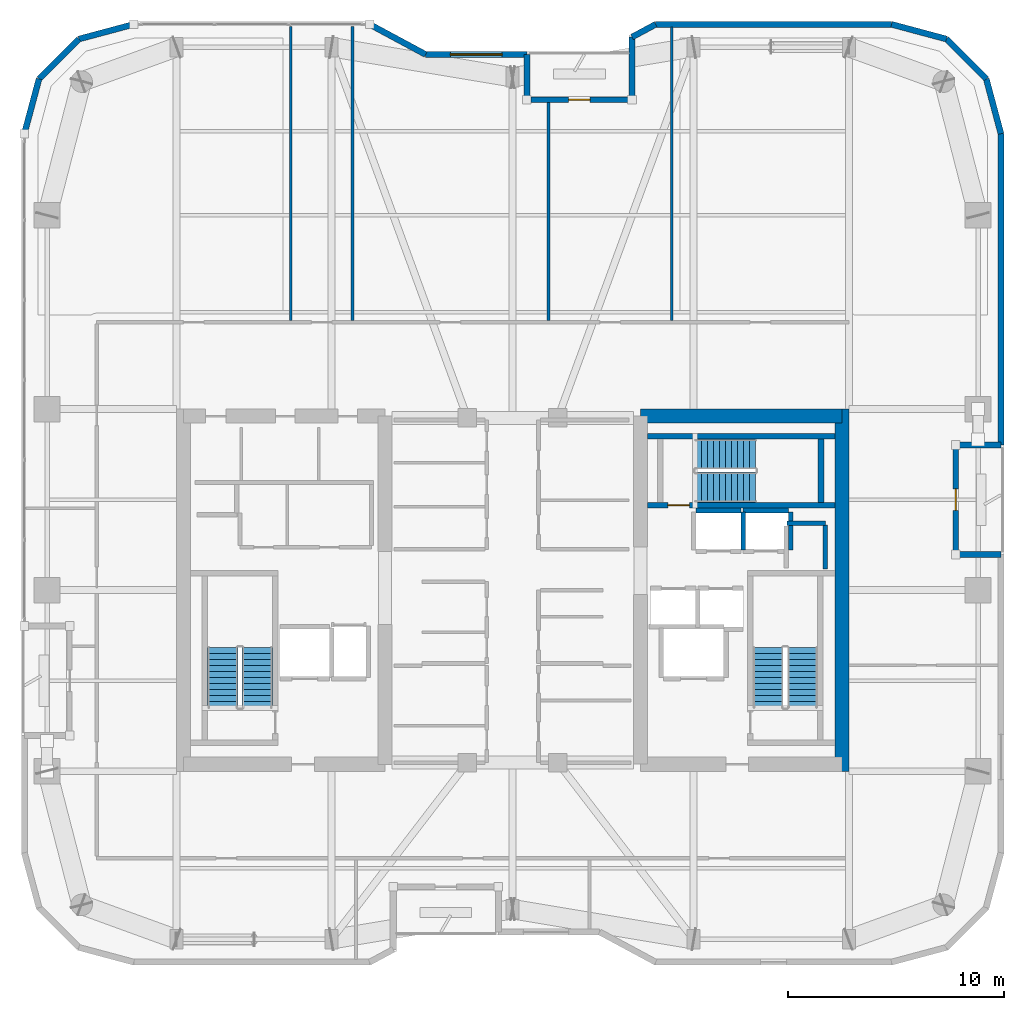
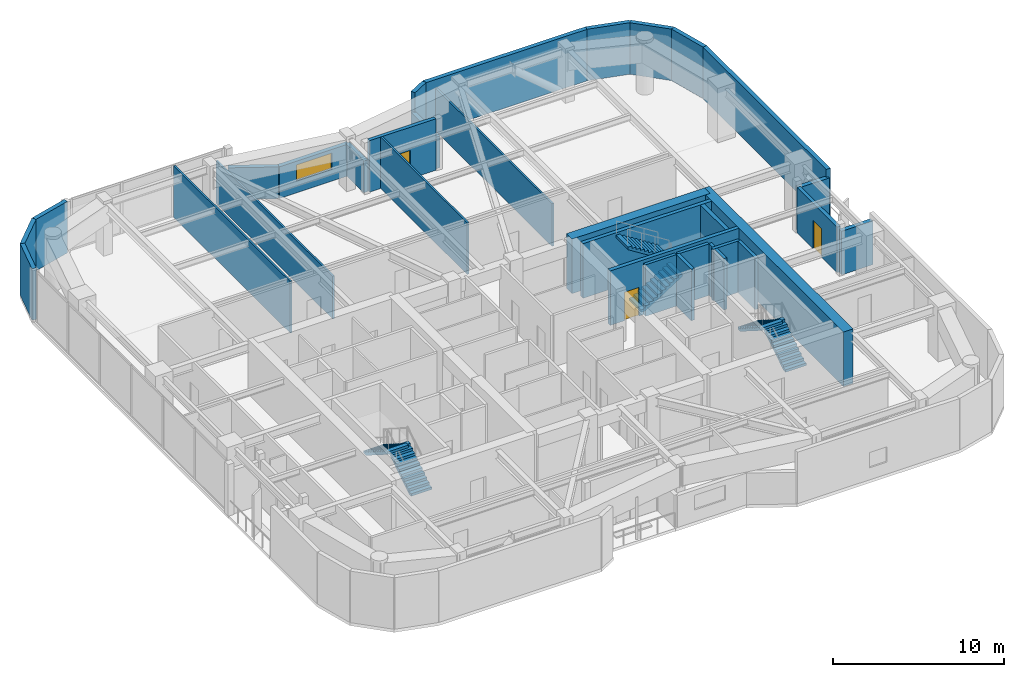
# One storey, part 18 of 21: 32 walls, 6 stair flights, 3 doors, 1 window, 4 openings, 3 elements without a shape of their own.
"""IFC4 building model written with IfcOpenShell, lengths in metres."""

from ifc_helpers import new_model, si_unit, direction, frame, frame_2d, origin, place, context, subcontext, project, spatial, polyline, rectangle, outline, extrude, material, layer, layer_set, type_object, element, fill, aggregate, save


model = new_model("IFC4")

# Units and contexts
model_context = context("Model", 3, precision=1e-05, world=origin(), true_north=direction((0.0, 1.0)))
body_context = subcontext(model_context, "Body", "Model", "MODEL_VIEW")
ifc_project = project(units=[si_unit("LENGTHUNIT", "METRE"), si_unit("AREAUNIT", "SQUARE_METRE"), si_unit("VOLUMEUNIT", "CUBIC_METRE"), si_unit("PLANEANGLEUNIT", "RADIAN"), si_unit("MASSUNIT", "GRAM", prefix="KILO")], contexts=[model_context])

# Site, building, storey
site_placement = place(None, origin())
site = spatial("IfcSite", under=ifc_project, at=site_placement, CompositionType="ELEMENT")
building_placement = place(site_placement, origin())
building = spatial("IfcBuilding", under=site, at=building_placement, Name="Kiyonajd Concourse Tower", CompositionType="ELEMENT")
storey_placement = place(building_placement, frame((0.0, 0.0, 227.10009765625)))
storey = spatial("IfcBuildingStorey", under=building, at=storey_placement, Name="L57", CompositionType="ELEMENT", Elevation=227.10009765625)

# Walls
ifc_material_1 = material(Name="Concrete C60/75", Category="concrete")
ifc_layer_1 = layer(ifc_material_1, 0.64990234375)
ifc_layer_set_1 = layer_set([ifc_layer_1], Name="Concrete C60/75")
wall_type_1 = type_object("IfcWallType", Name="WL-CORE-650", PredefinedType="SHEAR", material=ifc_layer_set_1)
wall_1_placement = place(storey_placement, frame((63.27490234375, 27.60009765625, 0.0), z_axis=(0.0, 0.0, 1.0), x_axis=(0.0, 1.0, 0.0)))
element("IfcWall", 1, at=wall_1_placement, inside=storey, type_object=wall_type_1, Name="L57 East Core Outer Shear Wall", PredefinedType="SHEAR", context=body_context, shape_type="SweptSolid", body=[
    extrude(rectangle(XDim=16.7998046875, YDim=0.64990234375, at=frame_2d((8.39990234375, 0.0))), origin(), (0.0, 0.0, 1.0), 3.89990234375),
])
wall_2_placement = place(storey_placement, frame((53.925048828125, 44.074951171875, 0.0), z_axis=(0.0, 0.0, 1.0), x_axis=(1.0, 0.0, 0.0)))
element("IfcWall", 2, at=wall_2_placement, inside=storey, type_object=wall_type_1, Name="L57 East Core North Shear Wall", PredefinedType="SHEAR", context=body_context, shape_type="SweptSolid", body=[
    extrude(rectangle(XDim=9.349853515625, YDim=0.64990234375, at=frame_2d((4.6748046875, 0.0))), origin(), (0.0, 0.0, 1.0), 3.89990234375),
])
ifc_material_2 = material(Name="Precast concrete C50/60", Category="concrete")
ifc_layer_2 = layer(ifc_material_2, 0.280029296875)
ifc_layer_set_2 = layer_set([ifc_layer_2], Name="Precast concrete C50/60")
wall_type_2 = type_object("IfcWallType", Name="WL-EXT-280", PredefinedType="SOLIDWALL", material=ifc_layer_set_2)
wall_3_placement = place(storey_placement, frame((25.340087890625, 57.181640625, 0.0), z_axis=(0.0, 0.0, 1.0), x_axis=(0.2588904131, 0.965906700466, 0.0)))
element("IfcWall", 3, at=wall_3_placement, inside=storey, type_object=wall_type_2, Name="L57 Exterior Concrete Frame Wall 06", PredefinedType="SOLIDWALL", context=body_context, shape_type="SweptSolid", body=[
    extrude(rectangle(XDim=2.6357421875, YDim=0.280029296875, at=frame_2d((1.31787109375, 0.0))), origin(), (0.0, 0.0, 1.0), 3.679931640625),
])
wall_4_placement = place(storey_placement, frame((26.0224609375, 59.7275390625, 0.0), z_axis=(0.0, 0.0, 1.0), x_axis=(0.707153437963, 0.707060121331, 0.0)))
element("IfcWall", 4, at=wall_4_placement, inside=storey, type_object=wall_type_2, Name="L57 Exterior Concrete Frame Wall 07", PredefinedType="SOLIDWALL", context=body_context, shape_type="SweptSolid", body=[
    extrude(rectangle(XDim=2.6162109375, YDim=0.280029296875, at=frame_2d((1.30810546875, 0.0))), origin(), (0.0, 0.0, 1.0), 3.679931640625),
])
wall_5_placement = place(storey_placement, frame((27.87255859375, 61.577392578125, 0.0), z_axis=(0.0, 0.0, 1.0), x_axis=(0.965883534663, 0.258976828051, 0.0)))
element("IfcWall", 5, at=wall_5_placement, inside=storey, type_object=wall_type_2, Name="L57 Exterior Concrete Frame Wall 08", PredefinedType="SOLIDWALL", context=body_context, shape_type="SweptSolid", body=[
    extrude(rectangle(XDim=2.6357421875, YDim=0.280029296875, at=frame_2d((1.31787109375, 0.0))), origin(), (0.0, 0.0, 1.0), 3.679931640625),
])
wall_6_placement = place(storey_placement, frame((41.36474609375, 62.260009765625, 0.0), z_axis=(0.0, 0.0, 1.0), x_axis=(0.880473754814, -0.474094892488, 0.0)))
element("IfcWall", 6, at=wall_6_placement, inside=storey, type_object=wall_type_2, Name="L57 Exterior Concrete Frame Wall 10", PredefinedType="SOLIDWALL", context=body_context, shape_type="SweptSolid", body=[
    extrude(rectangle(XDim=2.952880859375, YDim=0.280029296875, at=frame_2d((1.4765625, 0.0))), origin(), (0.0, 0.0, 1.0), 2.264892578125),
])

# Wall, opening, window
wall_7_placement = place(storey_placement, frame((43.964599609375, 60.860107421875, 0.0), z_axis=(0.0, 0.0, 1.0), x_axis=(1.0, 0.0, 0.0)))
wall_7 = element("IfcWall", 7, at=wall_7_placement, inside=storey, type_object=wall_type_2, Name="L57 Exterior Concrete Frame Wall 11", PredefinedType="SOLIDWALL", context=body_context, shape_type="SweptSolid", body=[
    extrude(rectangle(XDim=4.6953125, YDim=0.280029296875, at=frame_2d((2.34765625, 0.0))), origin(), (0.0, 0.0, 1.0), 2.264892578125),
])
opening_1_placement = place(wall_7_placement, frame((1.14794921875, 0.0, 0.85009765625)))
opening_1 = element("IfcOpeningElement", 8, at=opening_1_placement, cuts=wall_7, Name="Opening WN4", PredefinedType="OPENING", context=body_context, shape_type="SweptSolid", body=[
    extrude(rectangle(XDim=2.39990234375, YDim=1.14990234375, at=frame_2d((1.199951171875, 0.574951171875))), frame((0.0, 0.14990234375, 0.0), z_axis=(0.0, -1.0, 0.0), x_axis=(1.0, 0.0, 0.0)), (0.0, 0.0, 1.0), 0.300048828125),
])
ifc_material_3 = material(Name="Double Low-E Insulated Glass", Category="glass")
window_type = type_object("IfcWindowType", Name="WN-VIS-2400x1150", PartitioningType="SINGLE_PANEL", PredefinedType="WINDOW", material=ifc_material_3)
window_placement = place(opening_1_placement, origin())
window = element("IfcWindow", 9, at=window_placement, inside=storey, type_object=window_type, Name="L57 Modular Facade Vision Window 11", OverallHeight=1.14990234375, OverallWidth=2.39990234375, PartitioningType="SINGLE_PANEL", PredefinedType="WINDOW", context=body_context, shape_type="SweptSolid", body=[
    extrude(rectangle(XDim=2.39990234375, YDim=1.14990234375, at=frame_2d((1.199951171875, 0.574951171875))), frame((0.0, 0.030029296875, 0.0), z_axis=(0.0, -1.0, 0.0), x_axis=(1.0, 0.0, 0.0)), (0.0, 0.0, 1.0), 0.06005859375),
])
fill(opening_1, window)

# Walls
wall_8_placement = place(storey_placement, frame((48.659912109375, 60.860107421875, 0.0), z_axis=(0.0, 0.0, 1.0), x_axis=(0.0, -1.0, 0.0)))
element("IfcWall", 10, at=wall_8_placement, inside=storey, type_object=wall_type_2, Name="L57 Exterior Concrete Frame Wall 12", PredefinedType="SOLIDWALL", context=body_context, shape_type="SweptSolid", body=[
    extrude(rectangle(XDim=2.10009765625, YDim=0.280029296875, at=frame_2d((1.050048828125, 0.0))), origin(), (0.0, 0.0, 1.0), 2.264892578125),
])
wall_9_placement = place(storey_placement, frame((53.5400390625, 58.760009765625, 0.0), z_axis=(0.0, 0.0, 1.0), x_axis=(0.0, 1.0, 0.0)))
element("IfcWall", 11, at=wall_9_placement, inside=storey, type_object=wall_type_2, Name="L57 Exterior Concrete Frame Wall 14", PredefinedType="SOLIDWALL", context=body_context, shape_type="SweptSolid", body=[
    extrude(rectangle(XDim=2.910400390625, YDim=0.280029296875, at=frame_2d((1.455078125, 0.0))), origin(), (0.0, 0.0, 1.0), 2.264892578125),
])
wall_10_placement = place(storey_placement, frame((53.5400390625, 61.67041015625, 0.0), z_axis=(0.0, 0.0, 1.0), x_axis=(0.880515214249, 0.474017887296, 0.0)))
element("IfcWall", 12, at=wall_10_placement, inside=storey, type_object=wall_type_2, Name="L57 Exterior Concrete Frame Wall 15", PredefinedType="SOLIDWALL", context=body_context, shape_type="SweptSolid", body=[
    extrude(rectangle(XDim=1.243896484375, YDim=0.280029296875, at=frame_2d((0.6220703125, 0.0))), origin(), (0.0, 0.0, 1.0), 3.679931640625),
])
wall_11_placement = place(storey_placement, frame((54.63525390625, 62.260009765625, 0.0), z_axis=(0.0, 0.0, 1.0), x_axis=(1.0, 0.0, 0.0)))
element("IfcWall", 13, at=wall_11_placement, inside=storey, type_object=wall_type_2, Name="L57 Exterior Concrete Frame Wall 16", PredefinedType="SOLIDWALL", context=body_context, shape_type="SweptSolid", body=[
    extrude(rectangle(XDim=10.9462890625, YDim=0.280029296875, at=frame_2d((5.47314453125, 0.0))), origin(), (0.0, 0.0, 1.0), 3.679931640625),
])
wall_12_placement = place(storey_placement, frame((65.58154296875, 62.260009765625, 0.0), z_axis=(0.0, 0.0, 1.0), x_axis=(0.965883534663, -0.258976828051, 0.0)))
element("IfcWall", 14, at=wall_12_placement, inside=storey, type_object=wall_type_2, Name="L57 Exterior Concrete Frame Wall 17", PredefinedType="SOLIDWALL", context=body_context, shape_type="SweptSolid", body=[
    extrude(rectangle(XDim=2.6357421875, YDim=0.280029296875, at=frame_2d((1.31787109375, 0.0))), origin(), (0.0, 0.0, 1.0), 3.679931640625),
])
wall_13_placement = place(storey_placement, frame((68.12744140625, 61.577392578125, 0.0), z_axis=(0.0, 0.0, 1.0), x_axis=(0.707153437963, -0.707060121331, 0.0)))
element("IfcWall", 15, at=wall_13_placement, inside=storey, type_object=wall_type_2, Name="L57 Exterior Concrete Frame Wall 18", PredefinedType="SOLIDWALL", context=body_context, shape_type="SweptSolid", body=[
    extrude(rectangle(XDim=2.6162109375, YDim=0.280029296875, at=frame_2d((1.30810546875, 0.0))), origin(), (0.0, 0.0, 1.0), 3.679931640625),
])
wall_14_placement = place(storey_placement, frame((69.9775390625, 59.7275390625, 0.0), z_axis=(0.0, 0.0, 1.0), x_axis=(0.2588904131, -0.965906700466, 0.0)))
element("IfcWall", 16, at=wall_14_placement, inside=storey, type_object=wall_type_2, Name="L57 Exterior Concrete Frame Wall 19", PredefinedType="SOLIDWALL", context=body_context, shape_type="SweptSolid", body=[
    extrude(rectangle(XDim=2.6357421875, YDim=0.280029296875, at=frame_2d((1.31787109375, 0.0))), origin(), (0.0, 0.0, 1.0), 3.679931640625),
])
wall_15_placement = place(storey_placement, frame((70.659912109375, 57.181640625, 0.0), z_axis=(0.0, 0.0, 1.0), x_axis=(0.0, -1.0, 0.0)))
element("IfcWall", 17, at=wall_15_placement, inside=storey, type_object=wall_type_2, Name="L57 Exterior Concrete Frame Wall 20", PredefinedType="SOLIDWALL", context=body_context, shape_type="SweptSolid", body=[
    extrude(rectangle(XDim=14.441650390625, YDim=0.280029296875, at=frame_2d((7.220703125, 0.0))), origin(), (0.0, 0.0, 1.0), 3.679931640625),
])
for number, where, z_axis, x_axis, name in (
    (18, (70.659912109375, 42.739990234375, 0.0), (0.0, 0.0, 1.0), (-1.0, 0.0, 0.0), "L57 Exterior Concrete Frame Wall 21"),
    (19, (68.56005859375, 37.659912109375, 0.0), (0.0, 0.0, 1.0), (1.0, 0.0, 0.0), "L57 Exterior Concrete Frame Wall 23"),
):
    element("IfcWall", number, at=place(storey_placement, frame(where, z_axis=z_axis, x_axis=x_axis)), inside=storey, type_object=wall_type_2, Name=name, PredefinedType="SOLIDWALL", context=body_context, shape_type="SweptSolid", body=[
        extrude(rectangle(XDim=2.099853515625, YDim=0.280029296875, at=frame_2d((1.0498046875, 0.0))), origin(), (0.0, 0.0, 1.0), 3.115966796875),
    ])

# Wall, opening, door
ifc_layer_3 = layer(ifc_material_2, 0.239990234375)
ifc_layer_set_3 = layer_set([ifc_layer_3], Name="Precast concrete C50/60")
wall_type_3 = type_object("IfcWallType", Name="WL-LOG-240", PredefinedType="SOLIDWALL", material=ifc_layer_set_3)
wall_16_placement = place(storey_placement, frame((48.85498046875, 58.760009765625, 0.0), z_axis=(0.0, 0.0, 1.0), x_axis=(1.0, 0.0, 0.0)))
wall_16 = element("IfcWall", 20, at=wall_16_placement, inside=storey, type_object=wall_type_3, Name="L57 Recessed Loggia Thermal Wall LOG-N", PredefinedType="SOLIDWALL", context=body_context, shape_type="SweptSolid", body=[
    extrude(rectangle(XDim=4.489990234375, YDim=0.239990234375, at=frame_2d((2.2451171875, 0.0))), origin(), (0.0, 0.0, 1.0), 3.679931640625),
])
opening_2_placement = place(wall_16_placement, frame((1.7451171875, 0.0, 0.0)))
opening_2 = element("IfcOpeningElement", 21, at=opening_2_placement, cuts=wall_16, Name="Opening DL1", PredefinedType="OPENING", context=body_context, shape_type="SweptSolid", body=[
    extrude(rectangle(XDim=1.0, YDim=2.02001953125, at=frame_2d((0.5, 1.010009765625))), frame((0.0, 0.1298828125, 0.0), z_axis=(0.0, -1.0, 0.0), x_axis=(1.0, 0.0, 0.0)), (0.0, 0.0, 1.0), 0.260009765625),
])
ifc_material_4 = material(Name="Thermally Broken Anodised Aluminium", Category="aluminium")
door_type_1 = type_object("IfcDoorType", Name="DR-LOG-1000", OperationType="NOTDEFINED", PredefinedType="DOOR", material=ifc_material_4)
door_1_placement = place(opening_2_placement, origin())
door_1 = element("IfcDoor", 22, at=door_1_placement, inside=storey, type_object=door_type_1, Name="L57 Engawa Loggia Access Door LOG-N", OperationType="SINGLE_SWING_RIGHT", OverallHeight=2.02001953125, OverallWidth=1.0, PredefinedType="DOOR", context=body_context, shape_type="SweptSolid", body=[
    extrude(rectangle(XDim=1.0, YDim=2.02001953125, at=frame_2d((0.5, 1.010009765625))), frame((0.0, 0.02490234375, 0.0), z_axis=(0.0, -1.0, 0.0), x_axis=(1.0, 0.0, 0.0)), (0.0, 0.0, 1.0), 0.050048828125),
])
fill(opening_2, door_1)

wall_17_placement = place(storey_placement, frame((68.56005859375, 42.544921875, 0.0), z_axis=(0.0, 0.0, 1.0), x_axis=(0.0, -1.0, 0.0)))
wall_17 = element("IfcWall", 23, at=wall_17_placement, inside=storey, type_object=wall_type_3, Name="L57 Recessed Loggia Thermal Wall LOG-E", PredefinedType="SOLIDWALL", context=body_context, shape_type="SweptSolid", body=[
    extrude(rectangle(XDim=4.68994140625, YDim=0.239990234375, at=frame_2d((2.344970703125, 0.0))), origin(), (0.0, 0.0, 1.0), 3.247802734375),
])
opening_3_placement = place(wall_17_placement, frame((1.844970703125, 0.0, 0.0)))
opening_3 = element("IfcOpeningElement", 24, at=opening_3_placement, cuts=wall_17, Name="Opening DL1", PredefinedType="OPENING", context=body_context, shape_type="SweptSolid", body=[
    extrude(rectangle(XDim=1.0, YDim=2.02001953125, at=frame_2d((0.5, 1.010009765625))), frame((0.0, 0.1298828125, 0.0), z_axis=(0.0, -1.0, 0.0), x_axis=(1.0, 0.0, 0.0)), (0.0, 0.0, 1.0), 0.260009765625),
])
door_2_placement = place(opening_3_placement, origin())
door_2 = element("IfcDoor", 25, at=door_2_placement, inside=storey, type_object=door_type_1, Name="L57 Engawa Loggia Access Door LOG-E", OperationType="SINGLE_SWING_LEFT", OverallHeight=2.02001953125, OverallWidth=1.0, PredefinedType="DOOR", context=body_context, shape_type="SweptSolid", body=[
    extrude(rectangle(XDim=1.0, YDim=2.02001953125, at=frame_2d((0.5, 1.010009765625))), frame((0.0, 0.02490234375, 0.0), z_axis=(0.0, -1.0, 0.0), x_axis=(1.0, 0.0, 0.0)), (0.0, 0.0, 1.0), 0.050048828125),
])
fill(opening_3, door_2)

# Walls
ifc_material_5 = material(Name="Gypsum Board on Cold-Formed Steel Stud", Category="steel")
ifc_layer_4 = layer(ifc_material_5, 0.125)
ifc_layer_set_4 = layer_set([ifc_layer_4], Name="Gypsum Board on Cold-Formed Steel Stud")
wall_type_4 = type_object("IfcWallType", Name="WL-PART-125", PredefinedType="PARTITIONING", material=ifc_layer_set_4)
wall_18_placement = place(storey_placement, frame((37.699951171875, 48.51708984375, 0.0), z_axis=(0.0, 0.0, 1.0), x_axis=(0.0, 1.0, 0.0)))
element("IfcWall", 26, at=wall_18_placement, inside=storey, type_object=wall_type_4, Name="L57 Interior Partition Wall", PredefinedType="PARTITIONING", context=body_context, shape_type="SweptSolid", body=[
    extrude(rectangle(XDim=13.64794921875, YDim=0.125, at=frame_2d((6.823974609375, 0.0))), origin(), (0.0, 0.0, 1.0), 3.679931640625),
])
wall_19_placement = place(storey_placement, frame((40.570068359375, 48.51708984375, 0.0), z_axis=(0.0, 0.0, 1.0), x_axis=(0.0, 1.0, 0.0)))
element("IfcWall", 27, at=wall_19_placement, inside=storey, type_object=wall_type_4, Name="L57 Interior Partition Wall", PredefinedType="PARTITIONING", context=body_context, shape_type="SweptSolid", body=[
    extrude(rectangle(XDim=13.64794921875, YDim=0.125, at=frame_2d((6.823974609375, 0.0))), origin(), (0.0, 0.0, 1.0), 3.04296875),
])
wall_20_placement = place(storey_placement, frame((49.659912109375, 48.51708984375, 0.0), z_axis=(0.0, 0.0, 1.0), x_axis=(0.0, 1.0, 0.0)))
element("IfcWall", 28, at=wall_20_placement, inside=storey, type_object=wall_type_4, Name="L57 Interior Partition Wall", PredefinedType="PARTITIONING", context=body_context, shape_type="SweptSolid", body=[
    extrude(rectangle(XDim=10.1279296875, YDim=0.125, at=frame_2d((5.06396484375, 0.0))), origin(), (0.0, 0.0, 1.0), 3.679931640625),
])
wall_21_placement = place(storey_placement, frame((55.389892578125, 48.51708984375, 0.0), z_axis=(0.0, 0.0, 1.0), x_axis=(0.0, 1.0, 0.0)))
element("IfcWall", 29, at=wall_21_placement, inside=storey, type_object=wall_type_4, Name="L57 Interior Partition Wall", PredefinedType="PARTITIONING", context=body_context, shape_type="SweptSolid", body=[
    extrude(rectangle(XDim=13.60791015625, YDim=0.125, at=frame_2d((6.803955078125, 0.0))), origin(), (0.0, 0.0, 1.0), 3.04296875),
])
ifc_layer_5 = layer(ifc_material_5, 0.2099609375)
ifc_layer_set_5 = layer_set([ifc_layer_5], Name="Gypsum Board on Cold-Formed Steel Stud")
wall_type_5 = type_object("IfcWallType", Name="WL-SHAFT-210", PredefinedType="PARTITIONING", material=ifc_layer_set_5)
wall_22_placement = place(storey_placement, frame((60.719970703125, 39.10009765625, 0.0), z_axis=(0.0, 0.0, 1.0), x_axis=(1.0, 0.0, 0.0)))
element("IfcWall", 30, at=wall_22_placement, inside=storey, type_object=wall_type_5, Name="L57 Shaft Enclosure Wall", PredefinedType="PARTITIONING", context=body_context, shape_type="SweptSolid", body=[
    extrude(rectangle(XDim=1.800048828125, YDim=0.2099609375, at=frame_2d((0.89990234375, 0.0))), origin(), (0.0, 0.0, 1.0), 3.679931640625),
])
wall_23_placement = place(storey_placement, frame((62.5, 36.97998046875, 0.0), z_axis=(0.0, 0.0, 1.0), x_axis=(0.0, 1.0, 0.0)))
element("IfcWall", 31, at=wall_23_placement, inside=storey, type_object=wall_type_5, Name="L57 Shaft Enclosure Wall", PredefinedType="PARTITIONING", context=body_context, shape_type="SweptSolid", body=[
    extrude(rectangle(XDim=2.0400390625, YDim=0.2099609375, at=frame_2d((1.02001953125, 0.0))), origin(), (0.0, 0.0, 1.0), 3.679931640625),
])
wall_24_placement = place(storey_placement, frame((56.5, 39.699951171875, 0.0), z_axis=(0.0, 0.0, 1.0), x_axis=(1.0, 0.0, 0.0)))
element("IfcWall", 32, at=wall_24_placement, inside=storey, type_object=wall_type_5, Name="L57 Shaft Enclosure Wall", PredefinedType="PARTITIONING", context=body_context, shape_type="SweptSolid", body=[
    extrude(rectangle(XDim=2.10009765625, YDim=0.2099609375, at=frame_2d((1.050048828125, 0.0))), origin(), (0.0, 0.0, 1.0), 3.679931640625),
])
wall_25_placement = place(storey_placement, frame((58.699951171875, 37.860107421875, 0.0), z_axis=(0.0, 0.0, 1.0), x_axis=(0.0, 1.0, 0.0)))
element("IfcWall", 33, at=wall_25_placement, inside=storey, type_object=wall_type_5, Name="L57 Shaft Enclosure Wall", PredefinedType="PARTITIONING", context=body_context, shape_type="SweptSolid", body=[
    extrude(rectangle(XDim=1.77978515625, YDim=0.2099609375, at=frame_2d((0.889892578125, 0.0))), origin(), (0.0, 0.0, 1.0), 3.679931640625),
])
wall_26_placement = place(storey_placement, frame((58.699951171875, 39.699951171875, 0.0), z_axis=(0.0, 0.0, 1.0), x_axis=(1.0, 0.0, 0.0)))
element("IfcWall", 34, at=wall_26_placement, inside=storey, type_object=wall_type_5, Name="L57 Shaft Enclosure Wall", PredefinedType="PARTITIONING", context=body_context, shape_type="SweptSolid", body=[
    extrude(rectangle(XDim=2.10009765625, YDim=0.2099609375, at=frame_2d((1.050048828125, 0.0))), origin(), (0.0, 0.0, 1.0), 3.679931640625),
])
wall_27_placement = place(storey_placement, frame((60.89990234375, 37.860107421875, 0.0), z_axis=(0.0, 0.0, 1.0), x_axis=(0.0, 1.0, 0.0)))
element("IfcWall", 35, at=wall_27_placement, inside=storey, type_object=wall_type_5, Name="L57 Shaft Enclosure Wall", PredefinedType="PARTITIONING", context=body_context, shape_type="SweptSolid", body=[
    extrude(rectangle(XDim=1.77978515625, YDim=0.2099609375, at=frame_2d((0.889892578125, 0.0))), origin(), (0.0, 0.0, 1.0), 3.679931640625),
])

# Wall, opening, door
ifc_material_6 = material(Name="Concrete C50/60", Category="concrete")
ifc_layer_6 = layer(ifc_material_6, 0.260009765625)
ifc_layer_set_6 = layer_set([ifc_layer_6], Name="Concrete C50/60")
wall_type_6 = type_object("IfcWallType", Name="WL-STAIR-260", PredefinedType="SHEAR", material=ifc_layer_set_6)
wall_28_placement = place(storey_placement, frame((54.25, 39.949951171875, 0.0), z_axis=(0.0, 0.0, 1.0), x_axis=(1.0, 0.0, 0.0)))
wall_28 = element("IfcWall", 36, at=wall_28_placement, inside=storey, type_object=wall_type_6, Name="L57 Stair ST3 Structural South Wall", PredefinedType="SHEAR", context=body_context, shape_type="SweptSolid", body=[
    extrude(rectangle(XDim=8.699951171875, YDim=0.260009765625, at=frame_2d((4.35009765625, 0.0))), origin(), (0.0, 0.0, 1.0), 3.89990234375),
])
opening_4_placement = place(wall_28_placement, frame((0.949951171875, 0.0, 0.0)))
opening_4 = element("IfcOpeningElement", 37, at=opening_4_placement, cuts=wall_28, Name="Opening DF1", PredefinedType="OPENING", context=body_context, shape_type="SweptSolid", body=[
    extrude(rectangle(XDim=1.0, YDim=2.0400390625, at=frame_2d((0.5, 1.02001953125))), frame((0.0, 0.139892578125, 0.0), z_axis=(0.0, -1.0, 0.0), x_axis=(1.0, 0.0, 0.0)), (0.0, 0.0, 1.0), 0.280029296875),
])
ifc_material_7 = material(Name="Brushed Stainless Steel Cab Assembly", Category="steel")
door_type_2 = type_object("IfcDoorType", Name="DR-FD90-1000", OperationType="NOTDEFINED", PredefinedType="DOOR", material=ifc_material_7)
door_3_placement = place(opening_4_placement, origin())
door_3 = element("IfcDoor", 38, at=door_3_placement, inside=storey, type_object=door_type_2, Name="L57 Stair ST3 Enclosure Door", OperationType="SINGLE_SWING_LEFT", OverallHeight=2.0400390625, OverallWidth=1.0, PredefinedType="DOOR", context=body_context, shape_type="SweptSolid", body=[
    extrude(rectangle(XDim=1.0, YDim=2.0400390625, at=frame_2d((0.5, 1.02001953125))), frame((0.0, 0.02490234375, 0.0), z_axis=(0.0, -1.0, 0.0), x_axis=(1.0, 0.0, 0.0)), (0.0, 0.0, 1.0), 0.050048828125),
])
fill(opening_4, door_3)

# Walls
wall_29_placement = place(storey_placement, frame((54.25, 43.14990234375, 0.0), z_axis=(0.0, 0.0, 1.0), x_axis=(1.0, 0.0, 0.0)))
element("IfcWall", 39, at=wall_29_placement, inside=storey, type_object=wall_type_6, Name="L57 Stair ST3 Structural North Wall", PredefinedType="SHEAR", context=body_context, shape_type="SweptSolid", body=[
    extrude(rectangle(XDim=8.699951171875, YDim=0.260009765625, at=frame_2d((4.35009765625, 0.0))), origin(), (0.0, 0.0, 1.0), 3.89990234375),
])
wall_30_placement = place(storey_placement, frame((62.31005859375, 40.080078125, 0.0), z_axis=(0.0, 0.0, 1.0), x_axis=(0.0, 1.0, 0.0)))
element("IfcWall", 40, at=wall_30_placement, inside=storey, type_object=wall_type_6, Name="L57 Stair ST3 Structural East Wall", PredefinedType="SHEAR", context=body_context, shape_type="SweptSolid", body=[
    extrude(rectangle(XDim=2.93994140625, YDim=0.260009765625, at=frame_2d((1.469970703125, 0.0))), origin(), (0.0, 0.0, 1.0), 3.89990234375),
])

# Stair, stair flights
ifc_material_8 = material(Name="Concrete C40/50", Category="concrete")
stair_type = type_object("IfcStairType", Name="ST-DLG-22R", PredefinedType="HALF_TURN_STAIR", material=ifc_material_8)
stair_1_placement = place(storey_placement, origin())
stair_1 = element("IfcStair", 41, at=stair_1_placement, inside=storey, type_object=stair_type, Name="L57 Protected Exit Stair ST1", PredefinedType="HALF_TURN_STAIR")
stair_flight_type = type_object("IfcStairFlightType", Name="SF-STR-22R", PredefinedType="STRAIGHT", material=ifc_material_8)
stair_flight_1_placement = place(storey_placement, frame((36.14990234375, 30.550048828125, 0.0), z_axis=(0.0, 0.0, 1.0), x_axis=(0.0, 1.0, 0.0)))
stair_flight_1 = element("IfcStairFlight", 42, at=stair_flight_1_placement, type_object=stair_flight_type, Name="ST1 flight 1", NumberOfRisers=11, NumberOfTreads=10, PredefinedType="STRAIGHT", RiserHeight=0.177272727, TreadLength=0.28, context=body_context, shape_type="SweptSolid", body=[
    extrude(outline(polyline([(0.0, 0.0), (0.0, 0.17724609375), (0.280029296875, 0.17724609375), (0.280029296875, 0.3544921875), (0.56005859375, 0.3544921875), (0.56005859375, 0.53173828125), (0.840087890625, 0.53173828125), (0.840087890625, 0.708984375), (1.1201171875, 0.708984375), (1.1201171875, 0.886474609375), (1.39990234375, 0.886474609375), (1.39990234375, 1.063720703125), (1.679931640625, 1.063720703125), (1.679931640625, 1.240966796875), (1.9599609375, 1.240966796875), (1.9599609375, 1.418212890625), (2.239990234375, 1.418212890625), (2.239990234375, 1.595458984375), (2.52001953125, 1.595458984375), (2.52001953125, 1.772705078125), (2.800048828125, 1.772705078125), (2.800048828125, 1.949951171875), (2.800048828125, 1.59521484375), (0.2802734375, 0.0), (0.0, 0.0)])), frame((0.0, 0.699951171875, 0.0), z_axis=(0.0, -1.0, 0.0), x_axis=(1.0, 0.0, 0.0)), (0.0, 0.0, 1.0), 1.39990234375),
])
stair_flight_2_placement = place(storey_placement, frame((34.550048828125, 33.35009765625, 1.949951171875), z_axis=(0.0, 0.0, 1.0), x_axis=(0.0, -1.0, 0.0)))
stair_flight_2 = element("IfcStairFlight", 43, at=stair_flight_2_placement, type_object=stair_flight_type, Name="ST1 flight 2", NumberOfRisers=11, NumberOfTreads=10, PredefinedType="STRAIGHT", RiserHeight=0.177272727, TreadLength=0.28, context=body_context, shape_type="SweptSolid", body=[
    extrude(outline(polyline([(0.0, 0.0), (0.0, 0.17724609375), (0.280029296875, 0.17724609375), (0.280029296875, 0.3544921875), (0.56005859375, 0.3544921875), (0.56005859375, 0.53173828125), (0.840087890625, 0.53173828125), (0.840087890625, 0.708984375), (1.1201171875, 0.708984375), (1.1201171875, 0.886474609375), (1.39990234375, 0.886474609375), (1.39990234375, 1.063720703125), (1.679931640625, 1.063720703125), (1.679931640625, 1.240966796875), (1.9599609375, 1.240966796875), (1.9599609375, 1.418212890625), (2.239990234375, 1.418212890625), (2.239990234375, 1.595458984375), (2.52001953125, 1.595458984375), (2.52001953125, 1.772705078125), (2.800048828125, 1.772705078125), (2.800048828125, 1.949951171875), (2.800048828125, 1.59521484375), (0.2802734375, 0.0), (0.0, 0.0)])), frame((0.0, 0.699951171875, 0.0), z_axis=(0.0, -1.0, 0.0), x_axis=(1.0, 0.0, 0.0)), (0.0, 0.0, 1.0), 1.39990234375),
])
aggregate(stair_1, [stair_flight_1, stair_flight_2])

stair_2_placement = place(storey_placement, origin())
stair_2 = element("IfcStair", 44, at=stair_2_placement, inside=storey, type_object=stair_type, Name="L57 Protected Exit Stair ST2", PredefinedType="HALF_TURN_STAIR")
stair_flight_3_placement = place(storey_placement, frame((61.449951171875, 30.550048828125, 0.0), z_axis=(0.0, 0.0, 1.0), x_axis=(0.0, 1.0, 0.0)))
stair_flight_3 = element("IfcStairFlight", 45, at=stair_flight_3_placement, type_object=stair_flight_type, Name="ST2 flight 1", NumberOfRisers=11, NumberOfTreads=10, PredefinedType="STRAIGHT", RiserHeight=0.177272727, TreadLength=0.28, context=body_context, shape_type="SweptSolid", body=[
    extrude(outline(polyline([(0.0, 0.0), (0.0, 0.17724609375), (0.280029296875, 0.17724609375), (0.280029296875, 0.3544921875), (0.56005859375, 0.3544921875), (0.56005859375, 0.53173828125), (0.840087890625, 0.53173828125), (0.840087890625, 0.708984375), (1.1201171875, 0.708984375), (1.1201171875, 0.886474609375), (1.39990234375, 0.886474609375), (1.39990234375, 1.063720703125), (1.679931640625, 1.063720703125), (1.679931640625, 1.240966796875), (1.9599609375, 1.240966796875), (1.9599609375, 1.418212890625), (2.239990234375, 1.418212890625), (2.239990234375, 1.595458984375), (2.52001953125, 1.595458984375), (2.52001953125, 1.772705078125), (2.800048828125, 1.772705078125), (2.800048828125, 1.949951171875), (2.800048828125, 1.59521484375), (0.2802734375, 0.0), (0.0, 0.0)])), frame((0.0, 0.699951171875, 0.0), z_axis=(0.0, -1.0, 0.0), x_axis=(1.0, 0.0, 0.0)), (0.0, 0.0, 1.0), 1.39990234375),
])
stair_flight_4_placement = place(storey_placement, frame((59.85009765625, 33.35009765625, 1.949951171875), z_axis=(0.0, 0.0, 1.0), x_axis=(0.0, -1.0, 0.0)))
stair_flight_4 = element("IfcStairFlight", 46, at=stair_flight_4_placement, type_object=stair_flight_type, Name="ST2 flight 2", NumberOfRisers=11, NumberOfTreads=10, PredefinedType="STRAIGHT", RiserHeight=0.177272727, TreadLength=0.28, context=body_context, shape_type="SweptSolid", body=[
    extrude(outline(polyline([(0.0, 0.0), (0.0, 0.17724609375), (0.280029296875, 0.17724609375), (0.280029296875, 0.3544921875), (0.56005859375, 0.3544921875), (0.56005859375, 0.53173828125), (0.840087890625, 0.53173828125), (0.840087890625, 0.708984375), (1.1201171875, 0.708984375), (1.1201171875, 0.886474609375), (1.39990234375, 0.886474609375), (1.39990234375, 1.063720703125), (1.679931640625, 1.063720703125), (1.679931640625, 1.240966796875), (1.9599609375, 1.240966796875), (1.9599609375, 1.418212890625), (2.239990234375, 1.418212890625), (2.239990234375, 1.595458984375), (2.52001953125, 1.595458984375), (2.52001953125, 1.772705078125), (2.800048828125, 1.772705078125), (2.800048828125, 1.949951171875), (2.800048828125, 1.59521484375), (0.2802734375, 0.0), (0.0, 0.0)])), frame((0.0, 0.699951171875, 0.0), z_axis=(0.0, -1.0, 0.0), x_axis=(1.0, 0.0, 0.0)), (0.0, 0.0, 1.0), 1.39990234375),
])
aggregate(stair_2, [stair_flight_3, stair_flight_4])

stair_3_placement = place(storey_placement, origin())
stair_3 = element("IfcStair", 47, at=stair_3_placement, inside=storey, type_object=stair_type, Name="L57 Protected Exit Stair ST3", PredefinedType="HALF_TURN_STAIR")
stair_flight_5_placement = place(storey_placement, frame((56.47998046875, 40.780029296875, 0.0), z_axis=(0.0, 0.0, 1.0), x_axis=(1.0, 0.0, 0.0)))
stair_flight_5 = element("IfcStairFlight", 48, at=stair_flight_5_placement, type_object=stair_flight_type, Name="ST3 flight 1", NumberOfRisers=11, NumberOfTreads=10, PredefinedType="STRAIGHT", RiserHeight=0.177272727, TreadLength=0.28, context=body_context, shape_type="SweptSolid", body=[
    extrude(outline(polyline([(0.0, 0.0), (0.0, 0.17724609375), (0.280029296875, 0.17724609375), (0.280029296875, 0.3544921875), (0.56005859375, 0.3544921875), (0.56005859375, 0.53173828125), (0.840087890625, 0.53173828125), (0.840087890625, 0.708984375), (1.1201171875, 0.708984375), (1.1201171875, 0.886474609375), (1.39990234375, 0.886474609375), (1.39990234375, 1.063720703125), (1.679931640625, 1.063720703125), (1.679931640625, 1.240966796875), (1.9599609375, 1.240966796875), (1.9599609375, 1.418212890625), (2.239990234375, 1.418212890625), (2.239990234375, 1.595458984375), (2.52001953125, 1.595458984375), (2.52001953125, 1.772705078125), (2.800048828125, 1.772705078125), (2.800048828125, 1.949951171875), (2.800048828125, 1.59521484375), (0.2802734375, 0.0), (0.0, 0.0)])), frame((0.0, 0.699951171875, 0.0), z_axis=(0.0, -1.0, 0.0), x_axis=(1.0, 0.0, 0.0)), (0.0, 0.0, 1.0), 1.39990234375),
])
stair_flight_6_placement = place(storey_placement, frame((59.280029296875, 42.320068359375, 1.949951171875), z_axis=(0.0, 0.0, 1.0), x_axis=(-1.0, 0.0, 0.0)))
stair_flight_6 = element("IfcStairFlight", 49, at=stair_flight_6_placement, type_object=stair_flight_type, Name="ST3 flight 2", NumberOfRisers=11, NumberOfTreads=10, PredefinedType="STRAIGHT", RiserHeight=0.177272727, TreadLength=0.28, context=body_context, shape_type="SweptSolid", body=[
    extrude(outline(polyline([(0.0, 0.0), (0.0, 0.17724609375), (0.280029296875, 0.17724609375), (0.280029296875, 0.3544921875), (0.56005859375, 0.3544921875), (0.56005859375, 0.53173828125), (0.840087890625, 0.53173828125), (0.840087890625, 0.708984375), (1.1201171875, 0.708984375), (1.1201171875, 0.886474609375), (1.39990234375, 0.886474609375), (1.39990234375, 1.063720703125), (1.679931640625, 1.063720703125), (1.679931640625, 1.240966796875), (1.9599609375, 1.240966796875), (1.9599609375, 1.418212890625), (2.239990234375, 1.418212890625), (2.239990234375, 1.595458984375), (2.52001953125, 1.595458984375), (2.52001953125, 1.772705078125), (2.800048828125, 1.772705078125), (2.800048828125, 1.949951171875), (2.800048828125, 1.59521484375), (0.2802734375, 0.0), (0.0, 0.0)])), frame((0.0, 0.699951171875, 0.0), z_axis=(0.0, -1.0, 0.0), x_axis=(1.0, 0.0, 0.0)), (0.0, 0.0, 1.0), 1.39990234375),
])
aggregate(stair_3, [stair_flight_5, stair_flight_6])

save(model, "model.ifc")
